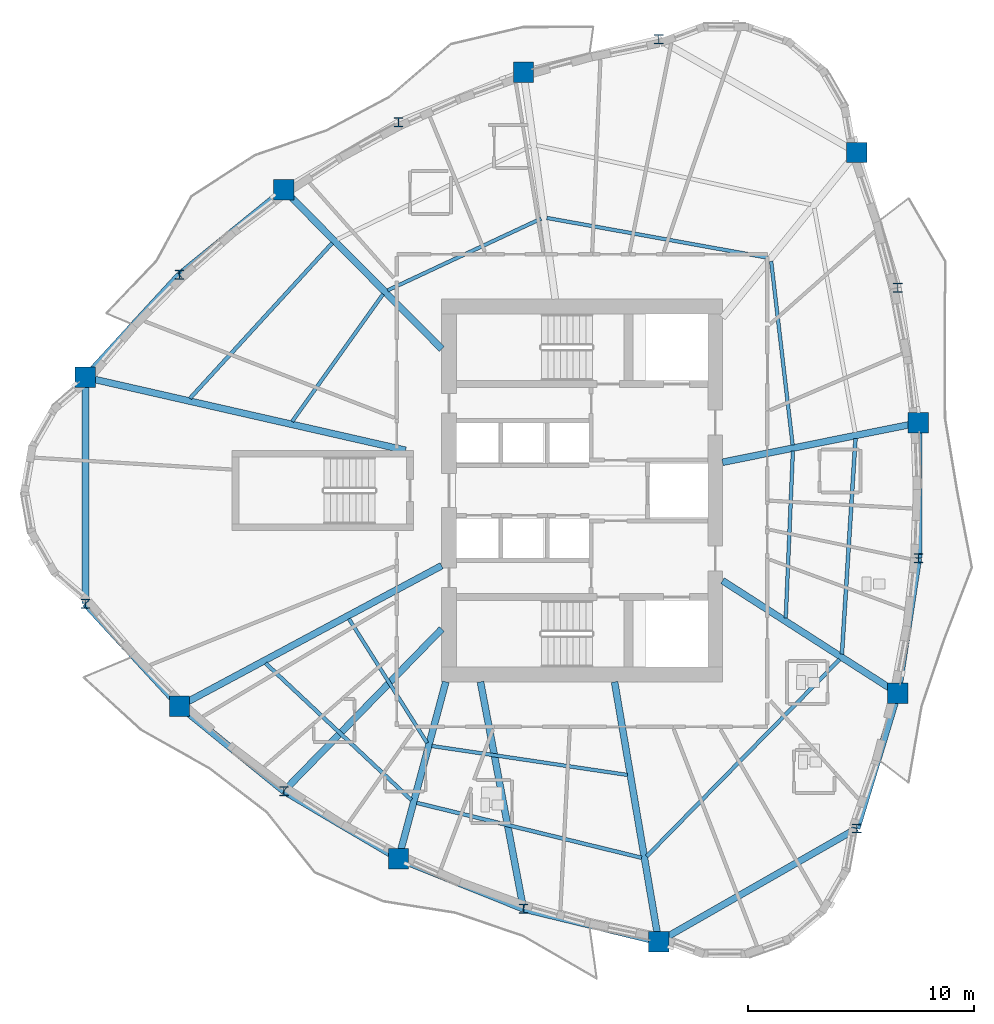
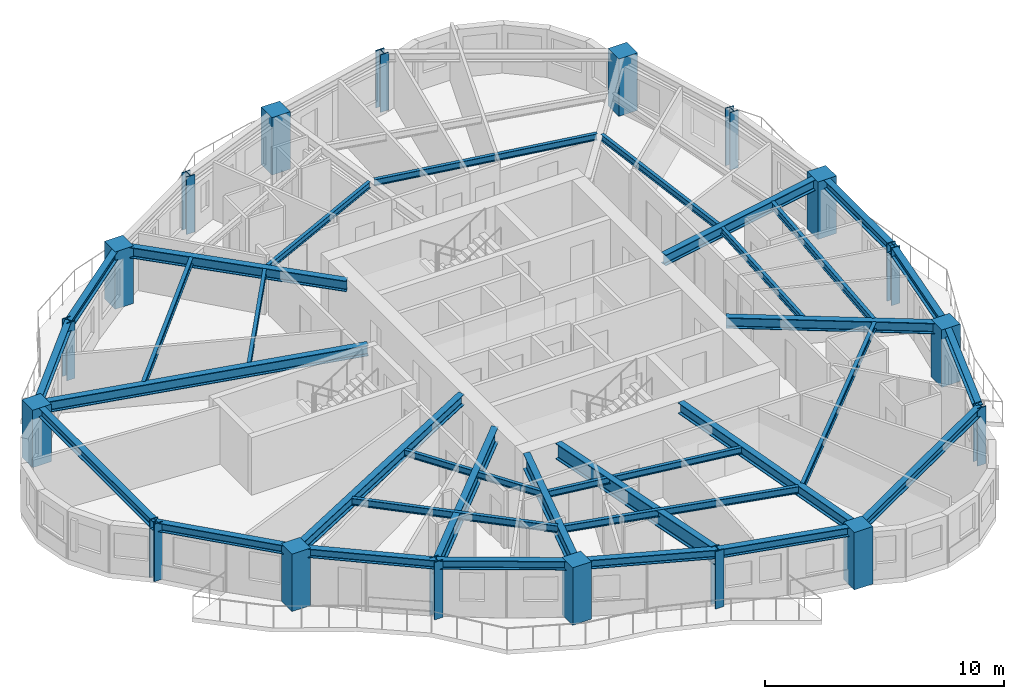
# One storey, part 1 of 13: 33 beams, 18 columns.
"""IFC4 building model written with IfcOpenShell, lengths in metres."""

from ifc_helpers import new_model, si_unit, direction, frame, origin, origin_2d, place, context, subcontext, project, spatial, rectangle, i_section, extrude, source, transform, mapped, material, material_profile, profile_set, type_object, element, save


model = new_model("IFC4")

# Units and contexts
model_context = context("Model", 3, precision=1e-05, world=origin(), true_north=direction((0.0, 1.0)))
body_context = subcontext(model_context, "Body", "Model", "MODEL_VIEW")
ifc_project = project(units=[si_unit("LENGTHUNIT", "METRE"), si_unit("AREAUNIT", "SQUARE_METRE"), si_unit("VOLUMEUNIT", "CUBIC_METRE"), si_unit("PLANEANGLEUNIT", "RADIAN"), si_unit("MASSUNIT", "GRAM", prefix="KILO")], contexts=[model_context])

# Site, building, storey
site_placement = place(None, origin())
site = spatial("IfcSite", under=ifc_project, at=site_placement, CompositionType="ELEMENT")
building_placement = place(site_placement, origin())
building = spatial("IfcBuilding", under=site, at=building_placement, Name="Qafzar Sky-Pleat Residences", CompositionType="ELEMENT")
storey_placement = place(building_placement, frame((0.0, 0.0, 105.60009765625)))
storey = spatial("IfcBuildingStorey", under=building, at=storey_placement, Name="L31", CompositionType="ELEMENT", Elevation=105.60009765625)

# Columns
ifc_material_1 = material(Name="Concrete C60/75", Category="concrete")
ifc_material_profile_1 = material_profile(ifc_material_1, rectangle(XDim=0.89990234375, YDim=0.89990234375, at=origin_2d()), Name="RC 900x900")
ifc_profile_set_1 = profile_set([ifc_material_profile_1], Name="Concrete C60/75")
column_type_1 = type_object("IfcColumnType", Name="COL-RC-900", PredefinedType="COLUMN", material=ifc_profile_set_1)
shared_shape_1 = source(origin(), body_context, "Body", "SweptSolid", [
    extrude(rectangle(XDim=0.89990234375, YDim=0.89990234375, at=origin_2d()), origin(), (0.0, 0.0, 1.0), 2.934814453125),
])
for number, where, z_axis, x_axis, name in (
    (1, (8.41943359375, 30.996337890625, 0.0), (0.0, 0.0, 1.0), (1.0, 0.0, 0.0), "L31 Perimeter Mega Column 1"),
    (2, (12.57470703125, 16.47998046875, 0.0), (0.0, 0.0, 1.0), (1.0, 0.0, 0.0), "L31 Perimeter Mega Column 3"),
    (3, (22.245849609375, 9.7412109375, 0.0), (0.0, 0.0, 1.0), (1.0, 0.0, 0.0), "L31 Perimeter Mega Column 5"),
    (4, (33.731689453125, 6.080322265625, 0.0), (0.0, 0.0, 1.0), (1.0, 0.0, 0.0), "L31 Perimeter Mega Column 7"),
    (5, (44.292236328125, 17.0458984375, 0.0), (0.0, 0.0, 1.0), (1.0, 0.0, 0.0), "L31 Perimeter Mega Column 9"),
    (6, (45.199462890625, 28.984619140625, 0.0), (0.0, 0.0, 1.0), (1.0, 0.0, 0.0), "L31 Perimeter Mega Column 11"),
    (7, (42.4775390625, 40.92333984375, 0.0), (0.0, 0.0, 1.0), (1.0, 0.0, 0.0), "L31 Perimeter Mega Column 13"),
    (8, (27.761962890625, 44.473876953125, 0.0), (0.0, 0.0, 1.0), (1.0, 0.0, 0.0), "L31 Perimeter Mega Column 15"),
    (9, (17.18359375, 39.274169921875, 0.0), (0.0, 0.0, 1.0), (1.0, 0.0, 0.0), "L31 Perimeter Mega Column 17"),
):
    element("IfcColumn", number, at=place(storey_placement, frame(where, z_axis=z_axis, x_axis=x_axis)), inside=storey, type_object=column_type_1, Name=name, PredefinedType="COLUMN", context=body_context, shape_type="MappedRepresentation", body=[
        mapped(shared_shape_1, transform((0.0, 0.0, 0.0), x_axis=(1.0, 0.0, 0.0), y_axis=(0.0, 1.0, 0.0), z_axis=(0.0, 0.0, 1.0), scale=1.0)),
    ])
ifc_material_2 = material(Name="Steel S460", Category="steel")
ifc_material_profile_2 = material_profile(ifc_material_2, i_section(OverallWidth=0.406005859375, OverallDepth=0.416015625, WebThickness=0.027099609375, FlangeThickness=0.0439453125, FilletRadius=0.014892578125, at=origin_2d()), Name="HD 400x382")
ifc_profile_set_2 = profile_set([ifc_material_profile_2], Name="Steel S460")
column_type_2 = type_object("IfcColumnType", Name="COL-STL-HD382", PredefinedType="PILASTER", material=ifc_profile_set_2)
shared_shape_2 = source(origin(), body_context, "Body", "SweptSolid", [
    extrude(i_section(OverallWidth=0.406005859375, OverallDepth=0.416015625, WebThickness=0.027099609375, FlangeThickness=0.0439453125, FilletRadius=0.014892578125, at=origin_2d()), origin(), (0.0, 0.0, 1.0), 2.934814453125),
])
for number, where, z_axis, x_axis, name in (
    (10, (8.41943359375, 21.003662109375, 0.0), (0.0, 0.0, 1.0), (1.0, 0.0, 0.0), "L31 Perimeter Mega Column 2"),
    (11, (17.18359375, 12.725830078125, 0.0), (0.0, 0.0, 1.0), (1.0, 0.0, 0.0), "L31 Perimeter Mega Column 4"),
    (12, (27.761962890625, 7.526123046875, 0.0), (0.0, 0.0, 1.0), (1.0, 0.0, 0.0), "L31 Perimeter Mega Column 6"),
    (13, (42.4775390625, 11.07666015625, 0.0), (0.0, 0.0, 1.0), (1.0, 0.0, 0.0), "L31 Perimeter Mega Column 8"),
    (14, (45.199462890625, 23.015380859375, 0.0), (0.0, 0.0, 1.0), (1.0, 0.0, 0.0), "L31 Perimeter Mega Column 10"),
    (15, (44.292236328125, 34.9541015625, 0.0), (0.0, 0.0, 1.0), (1.0, 0.0, 0.0), "L31 Perimeter Mega Column 12"),
    (16, (33.731689453125, 45.919677734375, 0.0), (0.0, 0.0, 1.0), (1.0, 0.0, 0.0), "L31 Perimeter Mega Column 14"),
    (17, (22.245849609375, 42.2587890625, 0.0), (0.0, 0.0, 1.0), (1.0, 0.0, 0.0), "L31 Perimeter Mega Column 16"),
    (18, (12.57470703125, 35.52001953125, 0.0), (0.0, 0.0, 1.0), (1.0, 0.0, 0.0), "L31 Perimeter Mega Column 18"),
):
    element("IfcColumn", number, at=place(storey_placement, frame(where, z_axis=z_axis, x_axis=x_axis)), inside=storey, type_object=column_type_2, Name=name, PredefinedType="PILASTER", context=body_context, shape_type="MappedRepresentation", body=[
        mapped(shared_shape_2, transform((0.0, 0.0, 0.0), x_axis=(1.0, 0.0, 0.0), y_axis=(0.0, 1.0, 0.0), z_axis=(0.0, 0.0, 1.0), scale=1.0)),
    ])

# Beams
ifc_material_3 = material(Name="Steel S355", Category="steel")
ifc_material_profile_3 = material_profile(ifc_material_3, i_section(OverallWidth=0.300048828125, OverallDepth=0.449951171875, WebThickness=0.013916015625, FlangeThickness=0.02587890625, FilletRadius=0.027099609375, at=origin_2d()), Name="HEB 450")
ifc_profile_set_3 = profile_set([ifc_material_profile_3], Name="Steel S355")
beam_type_1 = type_object("IfcBeamType", Name="BM-SPAN-HEB450", PredefinedType="SPANDREL", material=ifc_profile_set_3)
shared_shape_3 = source(origin(), body_context, "Body", "SweptSolid", [
    extrude(i_section(OverallWidth=0.300048828125, OverallDepth=0.449951171875, WebThickness=0.013916015625, FlangeThickness=0.02587890625, FilletRadius=0.027099609375, at=origin_2d()), origin(), (0.0, 0.0, 1.0), 9.99267578125),
])
beam_1_placement = place(storey_placement, frame((8.41943359375, 30.996337890625, 2.7080078125), z_axis=(0.0, -1.0, 0.0), x_axis=(1.0, 0.0, 0.0)))
element("IfcBeam", 19, at=beam_1_placement, inside=storey, type_object=beam_type_1, Name="L31 Perimeter Spandrel Beam 1", PredefinedType="SPANDREL", context=body_context, shape_type="MappedRepresentation", body=[
    mapped(shared_shape_3, transform((0.0, 0.0, 0.0), x_axis=(1.0, 0.0, 0.0), y_axis=(0.0, 1.0, 0.0), z_axis=(0.0, 0.0, 1.0), scale=1.0)),
])
shared_shape_4 = source(origin(), body_context, "Body", "SweptSolid", [
    extrude(i_section(OverallWidth=0.300048828125, OverallDepth=0.449951171875, WebThickness=0.013916015625, FlangeThickness=0.02587890625, FilletRadius=0.027099609375, at=origin_2d()), origin(), (0.0, 0.0, 1.0), 6.142578125),
])
for number, where, z_axis, x_axis, name in (
    (20, (8.41943359375, 21.003662109375, 2.7080078125), (0.676482000966, -0.736459165446, 0.0), (0.736459165446, 0.676482000966, 0.0), "L31 Perimeter Spandrel Beam 2"),
    (21, (12.57470703125, 35.52001953125, 2.7080078125), (-0.676482000966, -0.736459165446, 0.0), (0.736459165446, -0.676482000966, 0.0), "L31 Perimeter Spandrel Beam 18"),
):
    element("IfcBeam", number, at=place(storey_placement, frame(where, z_axis=z_axis, x_axis=x_axis)), inside=storey, type_object=beam_type_1, Name=name, PredefinedType="SPANDREL", context=body_context, shape_type="MappedRepresentation", body=[
        mapped(shared_shape_4, transform((0.0, 0.0, 0.0), x_axis=(1.0, 0.0, 0.0), y_axis=(0.0, 1.0, 0.0), z_axis=(0.0, 0.0, 1.0), scale=1.0)),
    ])
shared_shape_5 = source(origin(), body_context, "Body", "SweptSolid", [
    extrude(i_section(OverallWidth=0.300048828125, OverallDepth=0.449951171875, WebThickness=0.013916015625, FlangeThickness=0.02587890625, FilletRadius=0.027099609375, at=origin_2d()), origin(), (0.0, 0.0, 1.0), 5.9443359375),
])
for number, where, z_axis, x_axis, name in (
    (22, (12.57470703125, 16.47998046875, 2.7080078125), (0.775337026336, -0.631547698589, 0.0), (0.631547698589, 0.775337026336, 0.0), "L31 Perimeter Spandrel Beam 3"),
    (23, (22.245849609375, 9.7412109375, 2.7080078125), (0.927974486614, -0.372643733604, 0.0), (0.372643733604, 0.927974486614, 0.0), "L31 Perimeter Spandrel Beam 5"),
    (24, (17.18359375, 39.274169921875, 2.7080078125), (-0.775337026336, -0.631547698589, 0.0), (0.631547698589, -0.775337026336, 0.0), "L31 Perimeter Spandrel Beam 17"),
):
    element("IfcBeam", number, at=place(storey_placement, frame(where, z_axis=z_axis, x_axis=x_axis)), inside=storey, type_object=beam_type_1, Name=name, PredefinedType="SPANDREL", context=body_context, shape_type="MappedRepresentation", body=[
        mapped(shared_shape_5, transform((0.0, 0.0, 0.0), x_axis=(1.0, 0.0, 0.0), y_axis=(0.0, 1.0, 0.0), z_axis=(0.0, 0.0, 1.0), scale=1.0)),
    ])
shared_shape_6 = source(origin(), body_context, "Body", "SweptSolid", [
    extrude(i_section(OverallWidth=0.300048828125, OverallDepth=0.449951171875, WebThickness=0.013916015625, FlangeThickness=0.02587890625, FilletRadius=0.027099609375, at=origin_2d()), origin(), (0.0, 0.0, 1.0), 5.876708984375),
])
beam_2_placement = place(storey_placement, frame((17.18359375, 12.725830078125, 2.7080078125), z_axis=(0.861426491519, -0.507882269536, 0.0), x_axis=(0.507882269536, 0.861426491519, 0.0)))
element("IfcBeam", 25, at=beam_2_placement, inside=storey, type_object=beam_type_1, Name="L31 Perimeter Spandrel Beam 4", PredefinedType="SPANDREL", context=body_context, shape_type="MappedRepresentation", body=[
    mapped(shared_shape_6, transform((0.0, 0.0, 0.0), x_axis=(1.0, 0.0, 0.0), y_axis=(0.0, 1.0, 0.0), z_axis=(0.0, 0.0, 1.0), scale=1.0)),
])
shared_shape_7 = source(origin(), body_context, "Body", "SweptSolid", [
    extrude(i_section(OverallWidth=0.300048828125, OverallDepth=0.449951171875, WebThickness=0.013916015625, FlangeThickness=0.02587890625, FilletRadius=0.027099609375, at=origin_2d()), origin(), (0.0, 0.0, 1.0), 6.142333984375),
])
beam_3_placement = place(storey_placement, frame((27.761962890625, 7.526123046875, 2.7080078125), z_axis=(0.971902480603, -0.235383874126, 0.0), x_axis=(0.235383874126, 0.971902480603, 0.0)))
element("IfcBeam", 26, at=beam_3_placement, inside=storey, type_object=beam_type_1, Name="L31 Perimeter Spandrel Beam 6", PredefinedType="SPANDREL", context=body_context, shape_type="MappedRepresentation", body=[
    mapped(shared_shape_7, transform((0.0, 0.0, 0.0), x_axis=(1.0, 0.0, 0.0), y_axis=(0.0, 1.0, 0.0), z_axis=(0.0, 0.0, 1.0), scale=1.0)),
])
shared_shape_8 = source(origin(), body_context, "Body", "SweptSolid", [
    extrude(i_section(OverallWidth=0.300048828125, OverallDepth=0.449951171875, WebThickness=0.013916015625, FlangeThickness=0.02587890625, FilletRadius=0.027099609375, at=origin_2d()), origin(), (0.0, 0.0, 1.0), 10.072509765625),
])
beam_4_placement = place(storey_placement, frame((33.731689453125, 6.080322265625, 2.7080078125), z_axis=(0.868298326114, 0.496042353905, 0.0), x_axis=(-0.496042353905, 0.868298326114, 0.0)))
element("IfcBeam", 27, at=beam_4_placement, inside=storey, type_object=beam_type_1, Name="L31 Perimeter Spandrel Beam 7", PredefinedType="SPANDREL", context=body_context, shape_type="MappedRepresentation", body=[
    mapped(shared_shape_8, transform((0.0, 0.0, 0.0), x_axis=(1.0, 0.0, 0.0), y_axis=(0.0, 1.0, 0.0), z_axis=(0.0, 0.0, 1.0), scale=1.0)),
])
shared_shape_9 = source(origin(), body_context, "Body", "SweptSolid", [
    extrude(i_section(OverallWidth=0.300048828125, OverallDepth=0.449951171875, WebThickness=0.013916015625, FlangeThickness=0.02587890625, FilletRadius=0.027099609375, at=origin_2d()), origin(), (0.0, 0.0, 1.0), 6.239013671875),
])
beam_5_placement = place(storey_placement, frame((42.4775390625, 11.07666015625, 2.7080078125), z_axis=(0.290864189028, 0.956764351103, 0.0), x_axis=(-0.956764351103, 0.290864189028, 0.0)))
element("IfcBeam", 28, at=beam_5_placement, inside=storey, type_object=beam_type_1, Name="L31 Perimeter Spandrel Beam 8", PredefinedType="SPANDREL", context=body_context, shape_type="MappedRepresentation", body=[
    mapped(shared_shape_9, transform((0.0, 0.0, 0.0), x_axis=(1.0, 0.0, 0.0), y_axis=(0.0, 1.0, 0.0), z_axis=(0.0, 0.0, 1.0), scale=1.0)),
])
shared_shape_10 = source(origin(), body_context, "Body", "SweptSolid", [
    extrude(i_section(OverallWidth=0.300048828125, OverallDepth=0.449951171875, WebThickness=0.013916015625, FlangeThickness=0.02587890625, FilletRadius=0.027099609375, at=origin_2d()), origin(), (0.0, 0.0, 1.0), 6.0380859375),
])
beam_6_placement = place(storey_placement, frame((44.292236328125, 17.0458984375, 2.7080078125), z_axis=(0.150252132609, 0.988647711092, 0.0), x_axis=(-0.988647711092, 0.150252132609, 0.0)))
element("IfcBeam", 29, at=beam_6_placement, inside=storey, type_object=beam_type_1, Name="L31 Perimeter Spandrel Beam 9", PredefinedType="SPANDREL", context=body_context, shape_type="MappedRepresentation", body=[
    mapped(shared_shape_10, transform((0.0, 0.0, 0.0), x_axis=(1.0, 0.0, 0.0), y_axis=(0.0, 1.0, 0.0), z_axis=(0.0, 0.0, 1.0), scale=1.0)),
])
shared_shape_11 = source(origin(), body_context, "Body", "SweptSolid", [
    extrude(i_section(OverallWidth=0.300048828125, OverallDepth=0.449951171875, WebThickness=0.013916015625, FlangeThickness=0.02587890625, FilletRadius=0.027099609375, at=origin_2d()), origin(), (0.0, 0.0, 1.0), 5.96923828125),
])
beam_7_placement = place(storey_placement, frame((45.199462890625, 23.015380859375, 2.7080078125), z_axis=(0.0, 1.0, 0.0), x_axis=(-1.0, 0.0, 0.0)))
element("IfcBeam", 30, at=beam_7_placement, inside=storey, type_object=beam_type_1, Name="L31 Perimeter Spandrel Beam 10", PredefinedType="SPANDREL", context=body_context, shape_type="MappedRepresentation", body=[
    mapped(shared_shape_11, transform((0.0, 0.0, 0.0), x_axis=(1.0, 0.0, 0.0), y_axis=(0.0, 1.0, 0.0), z_axis=(0.0, 0.0, 1.0), scale=1.0)),
])
ifc_material_profile_4 = material_profile(ifc_material_3, i_section(OverallWidth=0.300048828125, OverallDepth=0.550048828125, WebThickness=0.014892578125, FlangeThickness=0.029052734375, FilletRadius=0.027099609375, at=origin_2d()), Name="HEB 550")
ifc_profile_set_4 = profile_set([ifc_material_profile_4], Name="Steel S355")
beam_type_2 = type_object("IfcBeamType", Name="BM-GIRD-HEB550", PredefinedType="BEAM", material=ifc_profile_set_4)
shared_shape_12 = source(origin(), body_context, "Body", "SweptSolid", [
    extrude(i_section(OverallWidth=0.300048828125, OverallDepth=0.550048828125, WebThickness=0.014892578125, FlangeThickness=0.029052734375, FilletRadius=0.027099609375, at=origin_2d()), origin(), (0.0, 0.0, 1.0), 14.501708984375),
])
beam_8_placement = place(storey_placement, frame((8.41943359375, 30.996337890625, 2.657958984375), z_axis=(0.975014473229, -0.22214134463, 0.0), x_axis=(0.22214134463, 0.975014473229, 0.0)))
element("IfcBeam", 31, at=beam_8_placement, inside=storey, type_object=beam_type_2, Name="L31 Radial Floor Girder 1", PredefinedType="BEAM", context=body_context, shape_type="MappedRepresentation", body=[
    mapped(shared_shape_12, transform((0.0, 0.0, 0.0), x_axis=(1.0, 0.0, 0.0), y_axis=(0.0, 1.0, 0.0), z_axis=(0.0, 0.0, 1.0), scale=1.0)),
])
shared_shape_13 = source(origin(), body_context, "Body", "SweptSolid", [
    extrude(i_section(OverallWidth=0.300048828125, OverallDepth=0.550048828125, WebThickness=0.014892578125, FlangeThickness=0.029052734375, FilletRadius=0.027099609375, at=origin_2d()), origin(), (0.0, 0.0, 1.0), 13.130859375),
])
beam_9_placement = place(storey_placement, frame((12.57470703125, 16.47998046875, 2.657958984375), z_axis=(0.881528612893, 0.472130601265, 0.0), x_axis=(-0.472130601265, 0.881528612893, 0.0)))
element("IfcBeam", 32, at=beam_9_placement, inside=storey, type_object=beam_type_2, Name="L31 Radial Floor Girder 3", PredefinedType="BEAM", context=body_context, shape_type="MappedRepresentation", body=[
    mapped(shared_shape_13, transform((0.0, 0.0, 0.0), x_axis=(1.0, 0.0, 0.0), y_axis=(0.0, 1.0, 0.0), z_axis=(0.0, 0.0, 1.0), scale=1.0)),
])
shared_shape_14 = source(origin(), body_context, "Body", "SweptSolid", [
    extrude(i_section(OverallWidth=0.300048828125, OverallDepth=0.550048828125, WebThickness=0.014892578125, FlangeThickness=0.029052734375, FilletRadius=0.027099609375, at=origin_2d()), origin(), (0.0, 0.0, 1.0), 11.6337890625),
])
beam_10_placement = place(storey_placement, frame((33.731689453125, 6.080322265625, 2.657958984375), z_axis=(-0.167358895541, 0.985896039186, 0.0), x_axis=(-0.985896039186, -0.167358895541, 0.0)))
element("IfcBeam", 33, at=beam_10_placement, inside=storey, type_object=beam_type_2, Name="L31 Radial Floor Girder 7", PredefinedType="BEAM", context=body_context, shape_type="MappedRepresentation", body=[
    mapped(shared_shape_14, transform((0.0, 0.0, 0.0), x_axis=(1.0, 0.0, 0.0), y_axis=(0.0, 1.0, 0.0), z_axis=(0.0, 0.0, 1.0), scale=1.0)),
])
shared_shape_15 = source(origin(), body_context, "Body", "SweptSolid", [
    extrude(i_section(OverallWidth=0.300048828125, OverallDepth=0.550048828125, WebThickness=0.014892578125, FlangeThickness=0.029052734375, FilletRadius=0.027099609375, at=origin_2d()), origin(), (0.0, 0.0, 1.0), 9.201416015625),
])
beam_11_placement = place(storey_placement, frame((44.292236328125, 17.0458984375, 2.657958984375), z_axis=(-0.841411158947, 0.540395467781, 0.0), x_axis=(-0.540395467781, -0.841411158947, 0.0)))
element("IfcBeam", 34, at=beam_11_placement, inside=storey, type_object=beam_type_2, Name="L31 Radial Floor Girder 9", PredefinedType="BEAM", context=body_context, shape_type="MappedRepresentation", body=[
    mapped(shared_shape_15, transform((0.0, 0.0, 0.0), x_axis=(1.0, 0.0, 0.0), y_axis=(0.0, 1.0, 0.0), z_axis=(0.0, 0.0, 1.0), scale=1.0)),
])
shared_shape_16 = source(origin(), body_context, "Body", "SweptSolid", [
    extrude(i_section(OverallWidth=0.300048828125, OverallDepth=0.550048828125, WebThickness=0.014892578125, FlangeThickness=0.029052734375, FilletRadius=0.027099609375, at=origin_2d()), origin(), (0.0, 0.0, 1.0), 8.822509765625),
])
beam_12_placement = place(storey_placement, frame((45.199462890625, 28.984619140625, 2.657958984375), z_axis=(-0.980391835396, -0.197057984076, 0.0), x_axis=(0.197057984076, -0.980391835396, 0.0)))
element("IfcBeam", 35, at=beam_12_placement, inside=storey, type_object=beam_type_2, Name="L31 Radial Floor Girder 11", PredefinedType="BEAM", context=body_context, shape_type="MappedRepresentation", body=[
    mapped(shared_shape_16, transform((0.0, 0.0, 0.0), x_axis=(1.0, 0.0, 0.0), y_axis=(0.0, 1.0, 0.0), z_axis=(0.0, 0.0, 1.0), scale=1.0)),
])
shared_shape_17 = source(origin(), body_context, "Body", "SweptSolid", [
    extrude(i_section(OverallWidth=0.300048828125, OverallDepth=0.550048828125, WebThickness=0.014892578125, FlangeThickness=0.029052734375, FilletRadius=0.027099609375, at=origin_2d()), origin(), (0.0, 0.0, 1.0), 9.892333984375),
])
beam_13_placement = place(storey_placement, frame((17.18359375, 39.274169921875, 2.657958984375), z_axis=(0.704213349063, -0.709988421737, 0.0), x_axis=(0.709988421737, 0.704213349063, 0.0)))
element("IfcBeam", 36, at=beam_13_placement, inside=storey, type_object=beam_type_2, Name="L31 Radial Floor Girder 17", PredefinedType="BEAM", context=body_context, shape_type="MappedRepresentation", body=[
    mapped(shared_shape_17, transform((0.0, 0.0, 0.0), x_axis=(1.0, 0.0, 0.0), y_axis=(0.0, 1.0, 0.0), z_axis=(0.0, 0.0, 1.0), scale=1.0)),
])
ifc_material_profile_5 = material_profile(ifc_material_3, i_section(OverallWidth=0.169921875, OverallDepth=0.360107421875, WebThickness=0.008056640625, FlangeThickness=0.0126953125, FilletRadius=0.01806640625, at=origin_2d()), Name="IPE 360")
ifc_profile_set_5 = profile_set([ifc_material_profile_5], Name="Steel S355")
beam_type_3 = type_object("IfcBeamType", Name="BM-JST-IPE360", PredefinedType="JOIST", material=ifc_profile_set_5)
shared_shape_18 = source(origin(), body_context, "Body", "SweptSolid", [
    extrude(i_section(OverallWidth=0.169921875, OverallDepth=0.360107421875, WebThickness=0.008056640625, FlangeThickness=0.0126953125, FilletRadius=0.01806640625, at=origin_2d()), origin(), (0.0, 0.0, 1.0), 12.17041015625),
])
beam_14_placement = place(storey_placement, frame((33.203125, 9.84716796875, 2.7529296875), z_axis=(0.699817856414, 0.714321333746, 0.0), x_axis=(-0.714321333746, 0.699817856414, 0.0)))
element("IfcBeam", 37, at=beam_14_placement, inside=storey, type_object=beam_type_3, Name="L31 Outer Secondary Floor Joist 4", PredefinedType="JOIST", context=body_context, shape_type="MappedRepresentation", body=[
    mapped(shared_shape_18, transform((0.0, 0.0, 0.0), x_axis=(1.0, 0.0, 0.0), y_axis=(0.0, 1.0, 0.0), z_axis=(0.0, 0.0, 1.0), scale=1.0)),
])
shared_shape_19 = source(origin(), body_context, "Body", "SweptSolid", [
    extrude(i_section(OverallWidth=0.169921875, OverallDepth=0.360107421875, WebThickness=0.008056640625, FlangeThickness=0.0126953125, FilletRadius=0.01806640625, at=origin_2d()), origin(), (0.0, 0.0, 1.0), 9.540771484375),
])
beam_15_placement = place(storey_placement, frame((41.8232421875, 18.771728515625, 2.7529296875), z_axis=(0.062872135971, 0.998021590207, 0.0), x_axis=(-0.998021590207, 0.062872135971, 0.0)))
element("IfcBeam", 38, at=beam_15_placement, inside=storey, type_object=beam_type_3, Name="L31 Outer Secondary Floor Joist 5", PredefinedType="JOIST", context=body_context, shape_type="MappedRepresentation", body=[
    mapped(shared_shape_19, transform((0.0, 0.0, 0.0), x_axis=(1.0, 0.0, 0.0), y_axis=(0.0, 1.0, 0.0), z_axis=(0.0, 0.0, 1.0), scale=1.0)),
])
shared_shape_20 = source(origin(), body_context, "Body", "SweptSolid", [
    extrude(i_section(OverallWidth=0.169921875, OverallDepth=0.360107421875, WebThickness=0.008056640625, FlangeThickness=0.0126953125, FilletRadius=0.01806640625, at=origin_2d()), origin(), (0.0, 0.0, 1.0), 9.30615234375),
])
beam_16_placement = place(storey_placement, frame((19.321533203125, 36.927001953125, 2.7529296875), z_axis=(-0.675485809651, -0.737372986324, 0.0), x_axis=(0.737372986324, -0.675485809651, 0.0)))
element("IfcBeam", 39, at=beam_16_placement, inside=storey, type_object=beam_type_3, Name="L31 Outer Secondary Floor Joist 9", PredefinedType="JOIST", context=body_context, shape_type="MappedRepresentation", body=[
    mapped(shared_shape_20, transform((0.0, 0.0, 0.0), x_axis=(1.0, 0.0, 0.0), y_axis=(0.0, 1.0, 0.0), z_axis=(0.0, 0.0, 1.0), scale=1.0)),
])
ifc_material_profile_6 = material_profile(ifc_material_3, i_section(OverallWidth=0.159912109375, OverallDepth=0.330078125, WebThickness=0.007568359375, FlangeThickness=0.011474609375, FilletRadius=0.01806640625, at=origin_2d()), Name="IPE 330")
ifc_profile_set_6 = profile_set([ifc_material_profile_6], Name="Steel S355")
beam_type_4 = type_object("IfcBeamType", Name="BM-JST-IPE330", PredefinedType="JOIST", material=ifc_profile_set_6)
shared_shape_21 = source(origin(), body_context, "Body", "SweptSolid", [
    extrude(i_section(OverallWidth=0.159912109375, OverallDepth=0.330078125, WebThickness=0.007568359375, FlangeThickness=0.011474609375, FilletRadius=0.01806640625, at=origin_2d()), origin(), (0.0, 0.0, 1.0), 7.381103515625),
])
beam_17_placement = place(storey_placement, frame((39.343017578125, 20.363037109375, 2.767822265625), z_axis=(0.042702281194, 0.999087841574, 0.0), x_axis=(-0.999087841574, 0.042702281194, 0.0)))
element("IfcBeam", 40, at=beam_17_placement, inside=storey, type_object=beam_type_4, Name="L31 Inner Secondary Floor Joist 5", PredefinedType="JOIST", context=body_context, shape_type="MappedRepresentation", body=[
    mapped(shared_shape_21, transform((0.0, 0.0, 0.0), x_axis=(1.0, 0.0, 0.0), y_axis=(0.0, 1.0, 0.0), z_axis=(0.0, 0.0, 1.0), scale=1.0)),
])
shared_shape_22 = source(origin(), body_context, "Body", "SweptSolid", [
    extrude(i_section(OverallWidth=0.159912109375, OverallDepth=0.330078125, WebThickness=0.007568359375, FlangeThickness=0.011474609375, FilletRadius=0.01806640625, at=origin_2d()), origin(), (0.0, 0.0, 1.0), 8.170166015625),
])
beam_18_placement = place(storey_placement, frame((39.648193359375, 28.006103515625, 2.767822265625), z_axis=(-0.116090499601, 0.993238639956, 0.0), x_axis=(-0.993238639956, -0.116090499601, 0.0)))
element("IfcBeam", 41, at=beam_18_placement, inside=storey, type_object=beam_type_4, Name="L31 Inner Secondary Floor Joist 6", PredefinedType="JOIST", context=body_context, shape_type="MappedRepresentation", body=[
    mapped(shared_shape_22, transform((0.0, 0.0, 0.0), x_axis=(1.0, 0.0, 0.0), y_axis=(0.0, 1.0, 0.0), z_axis=(0.0, 0.0, 1.0), scale=1.0)),
])
shared_shape_23 = source(origin(), body_context, "Body", "SweptSolid", [
    extrude(i_section(OverallWidth=0.159912109375, OverallDepth=0.330078125, WebThickness=0.007568359375, FlangeThickness=0.011474609375, FilletRadius=0.01806640625, at=origin_2d()), origin(), (0.0, 0.0, 1.0), 9.9140625),
])
beam_19_placement = place(storey_placement, frame((38.551025390625, 36.279052734375, 2.767822265625), z_axis=(-0.984195686965, 0.17708430128, 0.0), x_axis=(-0.17708430128, -0.984195686965, 0.0)))
element("IfcBeam", 42, at=beam_19_placement, inside=storey, type_object=beam_type_4, Name="L31 Inner Secondary Floor Joist 7", PredefinedType="JOIST", context=body_context, shape_type="MappedRepresentation", body=[
    mapped(shared_shape_23, transform((0.0, 0.0, 0.0), x_axis=(1.0, 0.0, 0.0), y_axis=(0.0, 1.0, 0.0), z_axis=(0.0, 0.0, 1.0), scale=1.0)),
])
shared_shape_24 = source(origin(), body_context, "Body", "SweptSolid", [
    extrude(i_section(OverallWidth=0.159912109375, OverallDepth=0.330078125, WebThickness=0.007568359375, FlangeThickness=0.011474609375, FilletRadius=0.01806640625, at=origin_2d()), origin(), (0.0, 0.0, 1.0), 7.47705078125),
])
beam_20_placement = place(storey_placement, frame((28.538330078125, 38.00146484375, 2.767822265625), z_axis=(-0.90597197859, -0.42333765957, 0.0), x_axis=(0.42333765957, -0.90597197859, 0.0)))
element("IfcBeam", 43, at=beam_20_placement, inside=storey, type_object=beam_type_4, Name="L31 Inner Secondary Floor Joist 8", PredefinedType="JOIST", context=body_context, shape_type="MappedRepresentation", body=[
    mapped(shared_shape_24, transform((0.0, 0.0, 0.0), x_axis=(1.0, 0.0, 0.0), y_axis=(0.0, 1.0, 0.0), z_axis=(0.0, 0.0, 1.0), scale=1.0)),
])
shared_shape_25 = source(origin(), body_context, "Body", "SweptSolid", [
    extrude(i_section(OverallWidth=0.159912109375, OverallDepth=0.330078125, WebThickness=0.007568359375, FlangeThickness=0.011474609375, FilletRadius=0.01806640625, at=origin_2d()), origin(), (0.0, 0.0, 1.0), 6.91162109375),
])
beam_21_placement = place(storey_placement, frame((21.563720703125, 34.669189453125, 2.767822265625), z_axis=(-0.58113460659, -0.813807452057, 0.0), x_axis=(0.813807452057, -0.58113460659, 0.0)))
element("IfcBeam", 44, at=beam_21_placement, inside=storey, type_object=beam_type_4, Name="L31 Inner Secondary Floor Joist 9", PredefinedType="JOIST", context=body_context, shape_type="MappedRepresentation", body=[
    mapped(shared_shape_25, transform((0.0, 0.0, 0.0), x_axis=(1.0, 0.0, 0.0), y_axis=(0.0, 1.0, 0.0), z_axis=(0.0, 0.0, 1.0), scale=1.0)),
])
ifc_material_profile_7 = material_profile(ifc_material_2, i_section(OverallWidth=0.300048828125, OverallDepth=0.800048828125, WebThickness=0.017578125, FlangeThickness=0.032958984375, FilletRadius=0.030029296875, at=origin_2d()), Name="HEB 800")
ifc_profile_set_7 = profile_set([ifc_material_profile_7], Name="Steel S460")
beam_type_5 = type_object("IfcBeamType", Name="BM-CHORD-HEB800", PredefinedType="BEAM", material=ifc_profile_set_7)
shared_shape_26 = source(origin(), body_context, "Body", "SweptSolid", [
    extrude(i_section(OverallWidth=0.300048828125, OverallDepth=0.800048828125, WebThickness=0.017578125, FlangeThickness=0.032958984375, FilletRadius=0.030029296875, at=origin_2d()), origin(), (0.0, 0.0, 1.0), 9.985595703125),
])
beam_22_placement = place(storey_placement, frame((17.18359375, 12.725830078125, 2.532958984375), z_axis=(0.697643435499, 0.716445138797, 0.0), x_axis=(-0.716445138797, 0.697643435499, 0.0)))
element("IfcBeam", 45, at=beam_22_placement, inside=storey, type_object=beam_type_5, Name="L32 Setback Transfer Girder 4", PredefinedType="BEAM", context=body_context, shape_type="MappedRepresentation", body=[
    mapped(shared_shape_26, transform((0.0, 0.0, 0.0), x_axis=(1.0, 0.0, 0.0), y_axis=(0.0, 1.0, 0.0), z_axis=(0.0, 0.0, 1.0), scale=1.0)),
])
shared_shape_27 = source(origin(), body_context, "Body", "SweptSolid", [
    extrude(i_section(OverallWidth=0.300048828125, OverallDepth=0.800048828125, WebThickness=0.017578125, FlangeThickness=0.032958984375, FilletRadius=0.030029296875, at=origin_2d()), origin(), (0.0, 0.0, 1.0), 8.082763671875),
])
beam_23_placement = place(storey_placement, frame((22.245849609375, 9.7412109375, 2.532958984375), z_axis=(0.258160808253, 0.966101959983, 0.0), x_axis=(-0.966101959983, 0.258160808253, 0.0)))
element("IfcBeam", 46, at=beam_23_placement, inside=storey, type_object=beam_type_5, Name="L32 Setback Transfer Girder 5", PredefinedType="BEAM", context=body_context, shape_type="MappedRepresentation", body=[
    mapped(shared_shape_27, transform((0.0, 0.0, 0.0), x_axis=(1.0, 0.0, 0.0), y_axis=(0.0, 1.0, 0.0), z_axis=(0.0, 0.0, 1.0), scale=1.0)),
])
shared_shape_28 = source(origin(), body_context, "Body", "SweptSolid", [
    extrude(i_section(OverallWidth=0.300048828125, OverallDepth=0.800048828125, WebThickness=0.017578125, FlangeThickness=0.032958984375, FilletRadius=0.030029296875, at=origin_2d()), origin(), (0.0, 0.0, 1.0), 10.2021484375),
])
beam_24_placement = place(storey_placement, frame((27.761962890625, 7.526123046875, 2.532958984375), z_axis=(-0.186059634544, 0.982538453392, 0.0), x_axis=(-0.982538453392, -0.186059634544, 0.0)))
element("IfcBeam", 47, at=beam_24_placement, inside=storey, type_object=beam_type_5, Name="L32 Setback Transfer Girder 6", PredefinedType="BEAM", context=body_context, shape_type="MappedRepresentation", body=[
    mapped(shared_shape_28, transform((0.0, 0.0, 0.0), x_axis=(1.0, 0.0, 0.0), y_axis=(0.0, 1.0, 0.0), z_axis=(0.0, 0.0, 1.0), scale=1.0)),
])
shared_shape_29 = source(origin(), body_context, "Body", "SweptSolid", [
    extrude(i_section(OverallWidth=0.169921875, OverallDepth=0.360107421875, WebThickness=0.008056640625, FlangeThickness=0.0126953125, FilletRadius=0.01806640625, at=origin_2d()), origin(), (0.0, 0.0, 1.0), 8.826904296875),
])
beam_25_placement = place(storey_placement, frame((16.377197265625, 18.371337890625, 2.7529296875), z_axis=(0.729356046659, -0.684134312253, 0.0), x_axis=(0.684134312253, 0.729356046659, 0.0)))
element("IfcBeam", 48, at=beam_25_placement, inside=storey, type_object=beam_type_3, Name="L31 Outer Secondary Floor Joist 2", PredefinedType="JOIST", context=body_context, shape_type="MappedRepresentation", body=[
    mapped(shared_shape_29, transform((0.0, 0.0, 0.0), x_axis=(1.0, 0.0, 0.0), y_axis=(0.0, 1.0, 0.0), z_axis=(0.0, 0.0, 1.0), scale=1.0)),
])
shared_shape_30 = source(origin(), body_context, "Body", "SweptSolid", [
    extrude(i_section(OverallWidth=0.169921875, OverallDepth=0.360107421875, WebThickness=0.008056640625, FlangeThickness=0.0126953125, FilletRadius=0.01806640625, at=origin_2d()), origin(), (0.0, 0.0, 1.0), 10.224365234375),
])
beam_26_placement = place(storey_placement, frame((23.044921875, 12.2080078125, 2.7529296875), z_axis=(0.971459438179, -0.23720573343, 0.0), x_axis=(0.23720573343, 0.971459438179, 0.0)))
element("IfcBeam", 49, at=beam_26_placement, inside=storey, type_object=beam_type_3, Name="L31 Outer Secondary Floor Joist 3", PredefinedType="JOIST", context=body_context, shape_type="MappedRepresentation", body=[
    mapped(shared_shape_30, transform((0.0, 0.0, 0.0), x_axis=(1.0, 0.0, 0.0), y_axis=(0.0, 1.0, 0.0), z_axis=(0.0, 0.0, 1.0), scale=1.0)),
])
shared_shape_31 = source(origin(), body_context, "Body", "SweptSolid", [
    extrude(i_section(OverallWidth=0.159912109375, OverallDepth=0.330078125, WebThickness=0.007568359375, FlangeThickness=0.011474609375, FilletRadius=0.01806640625, at=origin_2d()), origin(), (0.0, 0.0, 1.0), 6.478271484375),
])
beam_27_placement = place(storey_placement, frame((20.054931640625, 20.33349609375, 2.767822265625), z_axis=(0.533220017626, -0.845976602988, 0.0), x_axis=(0.845976602988, 0.533220017626, 0.0)))
element("IfcBeam", 50, at=beam_27_placement, inside=storey, type_object=beam_type_4, Name="L31 Inner Secondary Floor Joist 2", PredefinedType="JOIST", context=body_context, shape_type="MappedRepresentation", body=[
    mapped(shared_shape_31, transform((0.0, 0.0, 0.0), x_axis=(1.0, 0.0, 0.0), y_axis=(0.0, 1.0, 0.0), z_axis=(0.0, 0.0, 1.0), scale=1.0)),
])
shared_shape_32 = source(origin(), body_context, "Body", "SweptSolid", [
    extrude(i_section(OverallWidth=0.159912109375, OverallDepth=0.330078125, WebThickness=0.007568359375, FlangeThickness=0.011474609375, FilletRadius=0.01806640625, at=origin_2d()), origin(), (0.0, 0.0, 1.0), 8.731201171875),
])
beam_28_placement = place(storey_placement, frame((23.71484375, 14.718994140625, 2.767822265625), z_axis=(0.989224470274, -0.146406787449, 0.0), x_axis=(0.146406787449, 0.989224470274, 0.0)))
element("IfcBeam", 51, at=beam_28_placement, inside=storey, type_object=beam_type_4, Name="L31 Inner Secondary Floor Joist 3", PredefinedType="JOIST", context=body_context, shape_type="MappedRepresentation", body=[
    mapped(shared_shape_32, transform((0.0, 0.0, 0.0), x_axis=(1.0, 0.0, 0.0), y_axis=(0.0, 1.0, 0.0), z_axis=(0.0, 0.0, 1.0), scale=1.0)),
])

save(model, "model.ifc")
